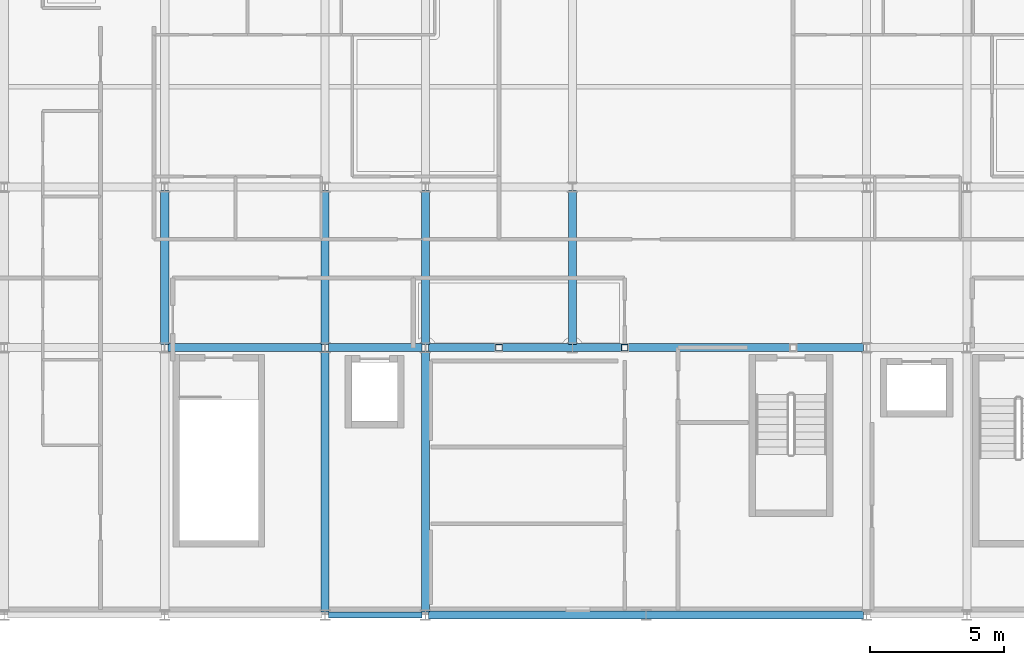
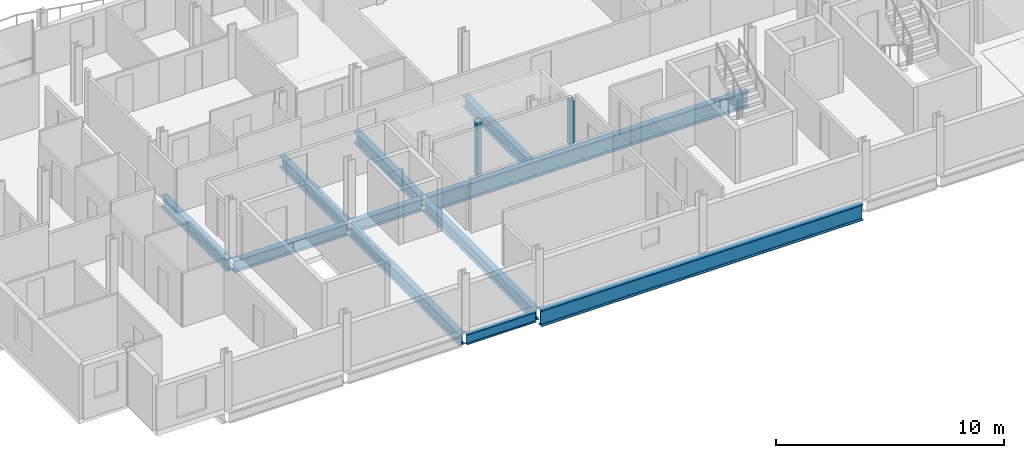
# One storey, part 5 of 35: 11 beams, 2 members.
"""IFC4 building model written with IfcOpenShell, lengths in metres."""

from ifc_helpers import new_model, si_unit, direction, frame, origin, origin_2d, place, context, subcontext, project, spatial, hollow_rectangle, i_section, extrude, material, material_profile, profile_set, type_object, element, save


model = new_model("IFC4")

# Units and contexts
model_context = context("Model", 3, precision=1e-05, world=origin(), true_north=direction((0.0, 1.0)))
body_context = subcontext(model_context, "Body", "Model", "MODEL_VIEW")
ifc_project = project(units=[si_unit("LENGTHUNIT", "METRE"), si_unit("AREAUNIT", "SQUARE_METRE"), si_unit("VOLUMEUNIT", "CUBIC_METRE"), si_unit("PLANEANGLEUNIT", "RADIAN"), si_unit("MASSUNIT", "GRAM", prefix="KILO")], contexts=[model_context])

# Site, building, storey
site_placement = place(None, origin())
site = spatial("IfcSite", under=ifc_project, at=site_placement, CompositionType="ELEMENT")
building_placement = place(site_placement, origin())
building = spatial("IfcBuilding", under=site, at=building_placement, Name="Brevholm Reach", CompositionType="ELEMENT")
storey_placement = place(building_placement, frame((0.0, 0.0, 218.0)))
storey = spatial("IfcBuildingStorey", under=building, at=storey_placement, Name="L66", CompositionType="ELEMENT", Elevation=218.0)

# Beams
ifc_material_1 = material(Name="Structural Steel S355J2", Category="steel")
ifc_material_profile_1 = material_profile(ifc_material_1, i_section(OverallWidth=0.210693359375, OverallDepth=0.53955078125, WebThickness=0.01171875, FlangeThickness=0.018798828125, FilletRadius=0.0126953125, at=origin_2d()), Name="UKB 533x210x109")
ifc_profile_set_1 = profile_set([ifc_material_profile_1], Name="Structural Steel S355J2")
beam_type_1 = type_object("IfcBeamType", Name="BM-SP539", PredefinedType="SPANDREL", material=ifc_profile_set_1)
beam_1_placement = place(storey_placement, frame((18.1201171875, 0.0, -0.539794921875), z_axis=(1.0, 0.0, 0.0), x_axis=(0.0, 1.0, 0.0)))
element("IfcBeam", 1, at=beam_1_placement, inside=storey, type_object=beam_type_1, Name="L66 SP-01B Framing Beam", PredefinedType="SPANDREL", context=body_context, shape_type="SweptSolid", body=[
    extrude(i_section(OverallWidth=0.210693359375, OverallDepth=0.53955078125, WebThickness=0.01171875, FlangeThickness=0.018798828125, FilletRadius=0.0126953125, at=origin_2d()), origin(), (0.0, 0.0, 1.0), 3.509765625),
])
ifc_material_2 = material(Name="Structural Steel S355J2", Category="steel")
ifc_material_profile_2 = material_profile(ifc_material_2, i_section(OverallWidth=0.30712890625, OverallDepth=0.6201171875, WebThickness=0.01416015625, FlangeThickness=0.023681640625, FilletRadius=0.0166015625, at=origin_2d()), Name="UKB 610x305x179")
ifc_profile_set_2 = profile_set([ifc_material_profile_2], Name="Structural Steel S355J2")
beam_type_2 = type_object("IfcBeamType", Name="BM-UKB610H", PredefinedType="USERDEFINED", material=ifc_profile_set_2)
beam_2_placement = place(storey_placement, frame((12.1201171875, 10.0, -0.580078125), z_axis=(1.0, 0.0, 0.0), x_axis=(0.0, 1.0, 0.0)))
element("IfcBeam", 2, at=beam_2_placement, inside=storey, type_object=beam_type_2, Name="L66 G-06 Framing Beam", ObjectType="GIRDER", PredefinedType="USERDEFINED", context=body_context, shape_type="SweptSolid", body=[
    extrude(i_section(OverallWidth=0.30712890625, OverallDepth=0.6201171875, WebThickness=0.01416015625, FlangeThickness=0.023681640625, FilletRadius=0.0166015625, at=origin_2d()), origin(), (0.0, 0.0, 1.0), 5.759765625),
])
beam_3_placement = place(storey_placement, frame((18.1201171875, 10.0, -0.580078125), z_axis=(1.0, 0.0, 0.0), x_axis=(0.0, 1.0, 0.0)))
element("IfcBeam", 3, at=beam_3_placement, inside=storey, type_object=beam_type_2, Name="L66 G-06 Framing Beam", ObjectType="GIRDER", PredefinedType="USERDEFINED", context=body_context, shape_type="SweptSolid", body=[
    extrude(i_section(OverallWidth=0.30712890625, OverallDepth=0.6201171875, WebThickness=0.01416015625, FlangeThickness=0.023681640625, FilletRadius=0.0166015625, at=origin_2d()), origin(), (0.0, 0.0, 1.0), 3.509765625),
])
beam_4_placement = place(storey_placement, frame((12.0, 10.1201171875, -0.580078125), z_axis=(0.0, 1.0, 0.0), x_axis=(-1.0, 0.0, 0.0)))
element("IfcBeam", 4, at=beam_4_placement, inside=storey, type_object=beam_type_2, Name="L66 G-06 Framing Beam", ObjectType="GIRDER", PredefinedType="USERDEFINED", context=body_context, shape_type="SweptSolid", body=[
    extrude(i_section(OverallWidth=0.30712890625, OverallDepth=0.6201171875, WebThickness=0.01416015625, FlangeThickness=0.023681640625, FilletRadius=0.0166015625, at=origin_2d()), origin(), (0.0, 0.0, 1.0), 5.759765625),
])
beam_5_placement = place(storey_placement, frame((18.0, 0.1201171875, -0.580078125), z_axis=(0.0, 1.0, 0.0), x_axis=(-1.0, 0.0, 0.0)))
element("IfcBeam", 5, at=beam_5_placement, inside=storey, type_object=beam_type_2, Name="L66 G-06 Framing Beam", ObjectType="GIRDER", PredefinedType="USERDEFINED", context=body_context, shape_type="SweptSolid", body=[
    extrude(i_section(OverallWidth=0.30712890625, OverallDepth=0.6201171875, WebThickness=0.01416015625, FlangeThickness=0.023681640625, FilletRadius=0.0166015625, at=origin_2d()), origin(), (0.0, 0.0, 1.0), 9.759765625),
])
beam_6_placement = place(storey_placement, frame((18.0, 10.1201171875, -0.580078125), z_axis=(0.0, 1.0, 0.0), x_axis=(-1.0, 0.0, 0.0)))
element("IfcBeam", 6, at=beam_6_placement, inside=storey, type_object=beam_type_2, Name="L66 G-06 Framing Beam", ObjectType="GIRDER", PredefinedType="USERDEFINED", context=body_context, shape_type="SweptSolid", body=[
    extrude(i_section(OverallWidth=0.30712890625, OverallDepth=0.6201171875, WebThickness=0.01416015625, FlangeThickness=0.023681640625, FilletRadius=0.0166015625, at=origin_2d()), origin(), (0.0, 0.0, 1.0), 5.759765625),
])
beam_7_placement = place(storey_placement, frame((21.75, 0.1201171875, -0.580078125), z_axis=(0.0, 1.0, 0.0), x_axis=(-1.0, 0.0, 0.0)))
element("IfcBeam", 7, at=beam_7_placement, inside=storey, type_object=beam_type_2, Name="L66 G-06 Framing Beam", ObjectType="GIRDER", PredefinedType="USERDEFINED", context=body_context, shape_type="SweptSolid", body=[
    extrude(i_section(OverallWidth=0.30712890625, OverallDepth=0.6201171875, WebThickness=0.01416015625, FlangeThickness=0.023681640625, FilletRadius=0.0166015625, at=origin_2d()), origin(), (0.0, 0.0, 1.0), 9.759765625),
])
for number, where, z_axis, x_axis, name in (
    (8, (21.75, 10.1201171875, -0.580078125), (0.0, 1.0, 0.0), (-1.0, 0.0, 0.0), "L66 G-06 Framing Beam"),
    (9, (27.25, 10.1201171875, -0.580078125), (0.0, 1.0, 0.0), (-1.0, 0.0, 0.0), "L66 G-06 Framing Beam"),
):
    element("IfcBeam", number, at=place(storey_placement, frame(where, z_axis=z_axis, x_axis=x_axis)), inside=storey, type_object=beam_type_2, Name=name, ObjectType="GIRDER", PredefinedType="USERDEFINED", context=body_context, shape_type="SweptSolid", body=[
        extrude(i_section(OverallWidth=0.30712890625, OverallDepth=0.6201171875, WebThickness=0.01416015625, FlangeThickness=0.023681640625, FilletRadius=0.0166015625, at=origin_2d()), origin(), (0.0, 0.0, 1.0), 5.759765625),
    ])
ifc_material_3 = material(Name="Structural Steel S355J2", Category="steel")
ifc_material_profile_3 = material_profile(ifc_material_3, i_section(OverallWidth=0.293701171875, OverallDepth=0.850830078125, WebThickness=0.01611328125, FlangeThickness=0.02685546875, FilletRadius=0.017822265625, at=origin_2d()), Name="UKB 838x292x226")
ifc_profile_set_3 = profile_set([ifc_material_profile_3], Name="Structural Steel S355J2")
beam_type_3 = type_object("IfcBeamType", Name="BM-UKB838", PredefinedType="USERDEFINED", material=ifc_profile_set_3)
for number, where, z_axis, x_axis, name in (
    (10, (21.8701171875, 0.0, -0.695556640625), (1.0, 0.0, 0.0), (0.0, 1.0, 0.0), "L66 G-03 Framing Beam"),
    (11, (21.8701171875, 10.0, -0.695556640625), (1.0, 0.0, 0.0), (0.0, 1.0, 0.0), "L66 G-03 Framing Beam"),
):
    element("IfcBeam", number, at=place(storey_placement, frame(where, z_axis=z_axis, x_axis=x_axis)), inside=storey, type_object=beam_type_3, Name=name, ObjectType="GIRDER", PredefinedType="USERDEFINED", context=body_context, shape_type="SweptSolid", body=[
        extrude(i_section(OverallWidth=0.293701171875, OverallDepth=0.850830078125, WebThickness=0.01611328125, FlangeThickness=0.02685546875, FilletRadius=0.017822265625, at=origin_2d()), origin(), (0.0, 0.0, 1.0), 16.259765625),
    ])

# Members
ifc_material_4 = material(Name="Structural Steel S355J2H", Category="steel")
ifc_material_profile_4 = material_profile(ifc_material_4, hollow_rectangle(XDim=0.25, YDim=0.25, WallThickness=0.010009765625, InnerFilletRadius=0.010009765625, OuterFilletRadius=0.02001953125, at=origin_2d()), Name="SHS 250x250x10")
ifc_profile_set_4 = profile_set([ifc_material_profile_4], Name="Structural Steel S355J2H")
member_type = type_object("IfcMemberType", Name="MEM-ST-SHS250", PredefinedType="STRUT", material=ifc_profile_set_4)
member_1_placement = place(storey_placement, frame((24.5, 10.0, 0.0), z_axis=(0.0, 0.0, 1.0), x_axis=(1.0, 0.0, 0.0)))
element("IfcMember", 12, at=member_1_placement, inside=storey, type_object=member_type, Name="L66 Portal Vierendeel Post 1", PredefinedType="STRUT", context=body_context, shape_type="SweptSolid", body=[
    extrude(hollow_rectangle(XDim=0.25, YDim=0.25, WallThickness=0.010009765625, InnerFilletRadius=0.010009765625, OuterFilletRadius=0.02001953125, at=origin_2d()), origin(), (0.0, 0.0, 1.0), 2.85009765625),
])
member_2_placement = place(storey_placement, frame((29.199951171875, 10.0, 0.0), z_axis=(0.0, 0.0, 1.0), x_axis=(1.0, 0.0, 0.0)))
element("IfcMember", 13, at=member_2_placement, inside=storey, type_object=member_type, Name="L66 Portal Vierendeel Post 2", PredefinedType="STRUT", context=body_context, shape_type="SweptSolid", body=[
    extrude(hollow_rectangle(XDim=0.25, YDim=0.25, WallThickness=0.010009765625, InnerFilletRadius=0.010009765625, OuterFilletRadius=0.02001953125, at=origin_2d()), origin(), (0.0, 0.0, 1.0), 2.33544921875),
])

save(model, "model.ifc")
